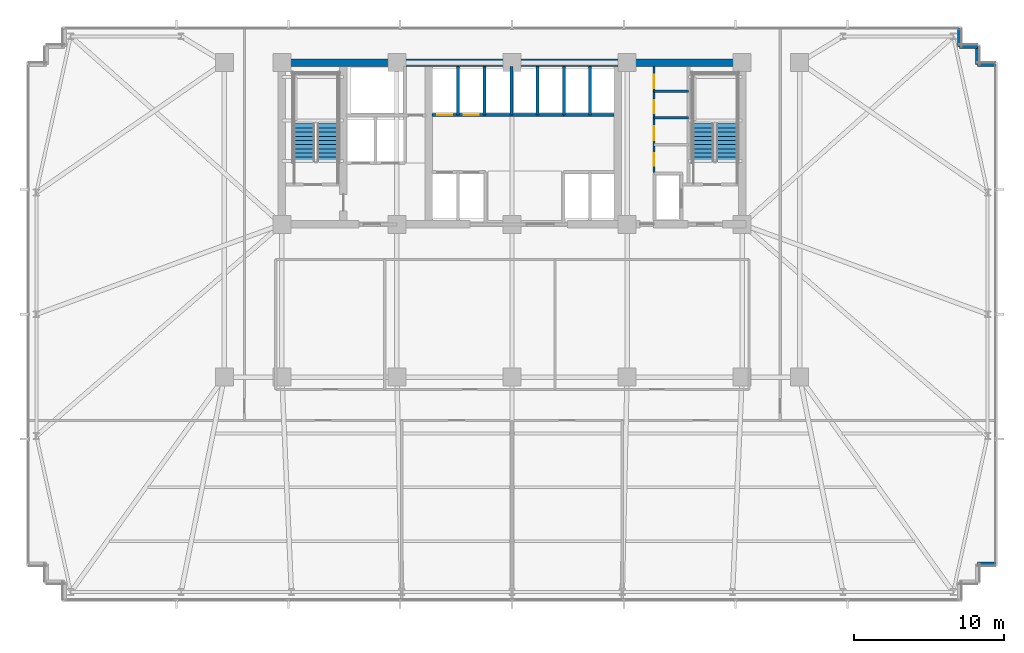
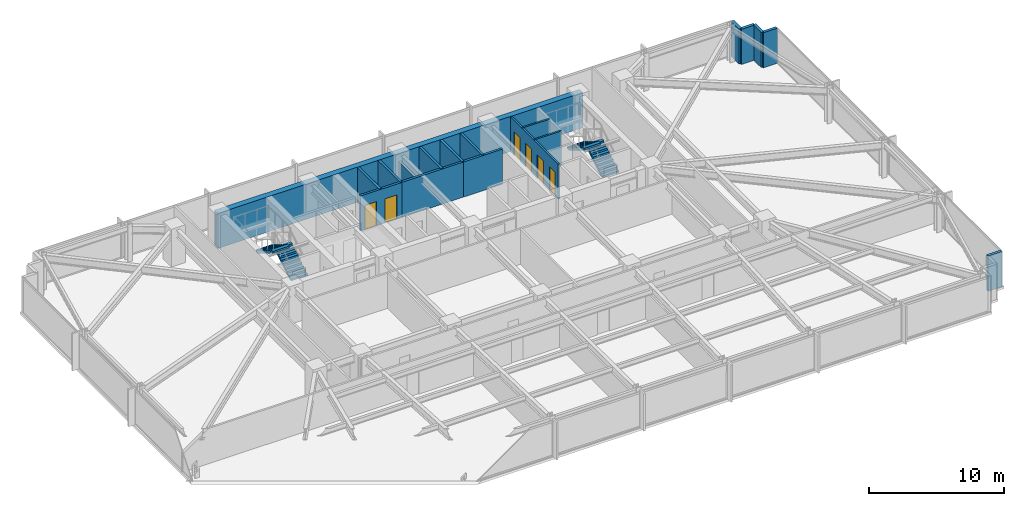
# One storey, part 26 of 33: 18 walls, 6 doors, 4 stair flights, 6 openings, 2 elements without a shape of their own.
"""IFC4 building model written with IfcOpenShell, lengths in metres."""

from ifc_helpers import new_model, si_unit, direction, frame, frame_2d, origin, place, context, subcontext, project, spatial, polyline, rectangle, outline, extrude, material, layer, layer_set, type_object, element, fill, aggregate, save


model = new_model("IFC4")

# Units and contexts
model_context = context("Model", 3, precision=1e-05, world=origin(), true_north=direction((0.0, 1.0)))
body_context = subcontext(model_context, "Body", "Model", "MODEL_VIEW")
ifc_project = project(units=[si_unit("LENGTHUNIT", "METRE"), si_unit("AREAUNIT", "SQUARE_METRE"), si_unit("VOLUMEUNIT", "CUBIC_METRE"), si_unit("PLANEANGLEUNIT", "RADIAN"), si_unit("MASSUNIT", "GRAM", prefix="KILO")], contexts=[model_context])

# Site, building, storey
site_placement = place(None, origin())
site = spatial("IfcSite", under=ifc_project, at=site_placement, CompositionType="ELEMENT")
building_placement = place(site_placement, origin())
building = spatial("IfcBuilding", under=site, at=building_placement, Name="Yelkora Congress Tower", CompositionType="ELEMENT")
storey_placement = place(building_placement, frame((0.0, 0.0, 47.39990234375)))
storey = spatial("IfcBuildingStorey", under=building, at=storey_placement, Name="L11", CompositionType="ELEMENT", Elevation=47.39990234375)

# Walls
ifc_material_1 = material(Name="Concrete C60/75", Category="concrete")
ifc_layer_1 = layer(ifc_material_1, 0.5)
ifc_layer_set_1 = layer_set([ifc_layer_1], Name="Concrete C60/75")
wall_type_1 = type_object("IfcWallType", Name="WALL-CORE-INT-500", PredefinedType="SHEAR", material=ifc_layer_set_1)
wall_1_placement = place(storey_placement, frame((22.7900390625, 46.199951171875, 0.0), z_axis=(0.0, 0.0, 1.0), x_axis=(1.0, 0.0, 0.0)))
element("IfcWall", 1, at=wall_1_placement, inside=storey, type_object=wall_type_1, Name="L11 Rear Core North Shear Wall", PredefinedType="SHEAR", context=body_context, shape_type="SweptSolid", body=[
    extrude(rectangle(XDim=31.219970703125, YDim=0.5, at=frame_2d((15.60986328125, 0.0))), origin(), (0.0, 0.0, 1.0), 3.18017578125),
])
ifc_material_2 = material(Name="Concrete C40/50", Category="concrete")
ifc_layer_2 = layer(ifc_material_2, 0.239990234375)
ifc_layer_set_2 = layer_set([ifc_layer_2], Name="Concrete C40/50")
wall_type_2 = type_object("IfcWallType", Name="WALL-EXT-LIMESTONE-240", PredefinedType="SOLIDWALL", material=ifc_layer_set_2)
for number, where, z_axis, x_axis, name in (
    (2, (68.260009765625, 48.4599609375, 0.0), (0.0, 0.0, 1.0), (0.0, -1.0, 0.0), "L11 Serrated Corner Limestone Pier 11"),
    (3, (68.260009765625, 47.260009765625, 0.0), (0.0, 0.0, 1.0), (1.0, 0.0, 0.0), "L11 Serrated Corner Limestone Pier 12"),
    (4, (69.4599609375, 47.260009765625, 0.0), (0.0, 0.0, 1.0), (0.0, -1.0, 0.0), "L11 Serrated Corner Limestone Pier 13"),
    (5, (69.4599609375, 46.06005859375, 0.0), (0.0, 0.0, 1.0), (1.0, 0.0, 0.0), "L11 Serrated Corner Limestone Pier 14"),
    (6, (70.659912109375, 12.739990234375, 0.0), (0.0, 0.0, 1.0), (-1.0, 0.0, 0.0), "L11 Serrated Corner Limestone Pier 16"),
):
    element("IfcWall", number, at=place(storey_placement, frame(where, z_axis=z_axis, x_axis=x_axis)), inside=storey, type_object=wall_type_2, Name=name, PredefinedType="SOLIDWALL", context=body_context, shape_type="SweptSolid", body=[
        extrude(rectangle(XDim=1.199951171875, YDim=0.239990234375, at=frame_2d((0.60009765625, 0.0))), origin(), (0.0, 0.0, 1.0), 3.18017578125),
    ])
ifc_material_3 = material(Name="Acoustic metal-stud gypsum partition", Category="gypsum")
ifc_layer_3 = layer(ifc_material_3, 0.14990234375)
ifc_layer_set_3 = layer_set([ifc_layer_3], Name="Acoustic metal-stud gypsum partition")
wall_type_3 = type_object("IfcWallType", Name="WALL-INT-150-NR", PredefinedType="PARTITIONING", material=ifc_layer_set_3)
for number, where, z_axis, x_axis, name in (
    (7, (47.8798828125, 42.52001953125, 0.0), (0.0, 0.0, 1.0), (1.0, 0.0, 0.0), "L11 Partition Wall 29"),
    (8, (47.8798828125, 44.280029296875, 0.0), (0.0, 0.0, 1.0), (1.0, 0.0, 0.0), "L11 Partition Wall 30"),
):
    element("IfcWall", number, at=place(storey_placement, frame(where, z_axis=z_axis, x_axis=x_axis)), inside=storey, type_object=wall_type_3, Name=name, PredefinedType="PARTITIONING", context=body_context, shape_type="SweptSolid", body=[
        extrude(rectangle(XDim=2.300048828125, YDim=0.14990234375, at=frame_2d((1.14990234375, 0.0))), origin(), (0.0, 0.0, 1.0), 3.18017578125),
    ])

# Wall, openings, doors
wall_2_placement = place(storey_placement, frame((47.8798828125, 38.85009765625, 0.0), z_axis=(0.0, 0.0, 1.0), x_axis=(0.0, 1.0, 0.0)))
wall_2 = element("IfcWall", 9, at=wall_2_placement, inside=storey, type_object=wall_type_3, Name="L11 Partition Wall 31", PredefinedType="PARTITIONING", context=body_context, shape_type="SweptSolid", body=[
    extrude(rectangle(XDim=7.06982421875, YDim=0.14990234375, at=frame_2d((3.534912109375, 0.0))), origin(), (0.0, 0.0, 1.0), 3.18017578125),
])
opening_1_placement = place(wall_2_placement, frame((0.449951171875, 0.0, 0.0)))
opening_1 = element("IfcOpeningElement", 10, at=opening_1_placement, cuts=wall_2, Name="Opening DR-085N", PredefinedType="OPENING", context=body_context, shape_type="SweptSolid", body=[
    extrude(rectangle(XDim=0.85009765625, YDim=2.14990234375, at=frame_2d((0.425048828125, 1.074951171875))), frame((0.0, 0.0849609375, 0.0), z_axis=(0.0, -1.0, 0.0), x_axis=(1.0, 0.0, 0.0)), (0.0, 0.0, 1.0), 0.169921875),
])
opening_2_placement = place(wall_2_placement, frame((2.14990234375, 0.0, 0.0)))
opening_2 = element("IfcOpeningElement", 11, at=opening_2_placement, cuts=wall_2, Name="Opening DR-095N", PredefinedType="OPENING", context=body_context, shape_type="SweptSolid", body=[
    extrude(rectangle(XDim=0.949951171875, YDim=2.14990234375, at=frame_2d((0.47509765625, 1.074951171875))), frame((0.0, 0.0849609375, 0.0), z_axis=(0.0, -1.0, 0.0), x_axis=(1.0, 0.0, 0.0)), (0.0, 0.0, 1.0), 0.169921875),
])
opening_3_placement = place(wall_2_placement, frame((3.949951171875, 0.0, 0.0)))
opening_3 = element("IfcOpeningElement", 12, at=opening_3_placement, cuts=wall_2, Name="Opening DR-090N", PredefinedType="OPENING", context=body_context, shape_type="SweptSolid", body=[
    extrude(rectangle(XDim=0.89990234375, YDim=2.14990234375, at=frame_2d((0.449951171875, 1.074951171875))), frame((0.0, 0.0849609375, 0.0), z_axis=(0.0, -1.0, 0.0), x_axis=(1.0, 0.0, 0.0)), (0.0, 0.0, 1.0), 0.169921875),
])
opening_4_placement = place(wall_2_placement, frame((5.64990234375, 0.0, 0.0)))
opening_4 = element("IfcOpeningElement", 13, at=opening_4_placement, cuts=wall_2, Name="Opening DR-090N", PredefinedType="OPENING", context=body_context, shape_type="SweptSolid", body=[
    extrude(rectangle(XDim=0.89990234375, YDim=2.14990234375, at=frame_2d((0.449951171875, 1.074951171875))), frame((0.0, 0.0849609375, 0.0), z_axis=(0.0, -1.0, 0.0), x_axis=(1.0, 0.0, 0.0)), (0.0, 0.0, 1.0), 0.169921875),
])
ifc_material_4 = material(Name="Laminate service store door leaf", Category="wood")
door_type_1 = type_object("IfcDoorType", Name="DOOR-INT-850", OperationType="NOTDEFINED", PredefinedType="DOOR", material=ifc_material_4)
door_1_placement = place(opening_1_placement, origin())
door_1 = element("IfcDoor", 14, at=door_1_placement, inside=storey, type_object=door_type_1, Name="L11 Janitor Room Door", OperationType="SINGLE_SWING_RIGHT", OverallHeight=2.14990234375, OverallWidth=0.85009765625, PredefinedType="DOOR", context=body_context, shape_type="SweptSolid", body=[
    extrude(rectangle(XDim=0.85009765625, YDim=2.14990234375, at=frame_2d((0.425048828125, 1.074951171875))), frame((0.0, 0.02490234375, 0.0), z_axis=(0.0, -1.0, 0.0), x_axis=(1.0, 0.0, 0.0)), (0.0, 0.0, 1.0), 0.050048828125),
])
fill(opening_1, door_1)
ifc_material_5 = material(Name="Moisture-resistant laminate door leaf", Category="wood")
door_type_2 = type_object("IfcDoorType", Name="DOOR-INT-900", OperationType="NOTDEFINED", PredefinedType="DOOR", material=ifc_material_5)
door_2_placement = place(opening_3_placement, origin())
door_2 = element("IfcDoor", 15, at=door_2_placement, inside=storey, type_object=door_type_2, Name="L11 Male WC Door", OperationType="SINGLE_SWING_RIGHT", OverallHeight=2.14990234375, OverallWidth=0.89990234375, PredefinedType="DOOR", context=body_context, shape_type="SweptSolid", body=[
    extrude(rectangle(XDim=0.89990234375, YDim=2.14990234375, at=frame_2d((0.449951171875, 1.074951171875))), frame((0.0, 0.02490234375, 0.0), z_axis=(0.0, -1.0, 0.0), x_axis=(1.0, 0.0, 0.0)), (0.0, 0.0, 1.0), 0.050048828125),
])
fill(opening_3, door_2)
door_3_placement = place(opening_4_placement, origin())
door_3 = element("IfcDoor", 16, at=door_3_placement, inside=storey, type_object=door_type_2, Name="L11 Female WC Door", OperationType="SINGLE_SWING_LEFT", OverallHeight=2.14990234375, OverallWidth=0.89990234375, PredefinedType="DOOR", context=body_context, shape_type="SweptSolid", body=[
    extrude(rectangle(XDim=0.89990234375, YDim=2.14990234375, at=frame_2d((0.449951171875, 1.074951171875))), frame((0.0, 0.02490234375, 0.0), z_axis=(0.0, -1.0, 0.0), x_axis=(1.0, 0.0, 0.0)), (0.0, 0.0, 1.0), 0.050048828125),
])
fill(opening_4, door_3)
ifc_material_6 = material(Name="Acoustic laminated timber office door", Category="wood")
door_type_3 = type_object("IfcDoorType", Name="DOOR-INT-950", OperationType="NOTDEFINED", PredefinedType="DOOR", material=ifc_material_6)
door_4_placement = place(opening_2_placement, origin())
door_4 = element("IfcDoor", 17, at=door_4_placement, inside=storey, type_object=door_type_3, Name="L11 Accessible WC Door", OperationType="SINGLE_SWING_LEFT", OverallHeight=2.14990234375, OverallWidth=0.949951171875, PredefinedType="DOOR", context=body_context, shape_type="SweptSolid", body=[
    extrude(rectangle(XDim=0.949951171875, YDim=2.14990234375, at=frame_2d((0.47509765625, 1.074951171875))), frame((0.0, 0.02490234375, 0.0), z_axis=(0.0, -1.0, 0.0), x_axis=(1.0, 0.0, 0.0)), (0.0, 0.0, 1.0), 0.050048828125),
])
fill(opening_2, door_4)

# Walls
ifc_material_7 = material(Name="Autoclaved aerated concrete blockwork", Category="masonry")
ifc_layer_4 = layer(ifc_material_7, 0.199951171875)
ifc_layer_set_4 = layer_set([ifc_layer_4], Name="Autoclaved aerated concrete blockwork")
wall_type_4 = type_object("IfcWallType", Name="WALL-INT-200-R120", PredefinedType="PARTITIONING", material=ifc_layer_set_4)
wall_3_placement = place(storey_placement, frame((36.60009765625, 42.699951171875, 0.0), z_axis=(0.0, 0.0, 1.0), x_axis=(1.0, 0.0, 0.0)))
element("IfcWall", 18, at=wall_3_placement, inside=storey, type_object=wall_type_4, Name="L11 Partition Wall 8", PredefinedType="PARTITIONING", context=body_context, shape_type="SweptSolid", body=[
    extrude(rectangle(XDim=5.25, YDim=0.199951171875, at=frame_2d((2.625, 0.0))), origin(), (0.0, 0.0, 1.0), 3.18017578125),
])
wall_4_placement = place(storey_placement, frame((38.35009765625, 42.699951171875, 0.0), z_axis=(0.0, 0.0, 1.0), x_axis=(0.0, 1.0, 0.0)))
element("IfcWall", 19, at=wall_4_placement, inside=storey, type_object=wall_type_4, Name="L11 Partition Wall 9", PredefinedType="PARTITIONING", context=body_context, shape_type="SweptSolid", body=[
    extrude(rectangle(XDim=3.219970703125, YDim=0.199951171875, at=frame_2d((1.60986328125, 0.0))), origin(), (0.0, 0.0, 1.0), 2.47509765625),
])
wall_5_placement = place(storey_placement, frame((40.10009765625, 42.699951171875, 0.0), z_axis=(0.0, 0.0, 1.0), x_axis=(0.0, 1.0, 0.0)))
element("IfcWall", 20, at=wall_5_placement, inside=storey, type_object=wall_type_4, Name="L11 Partition Wall 10", PredefinedType="PARTITIONING", context=body_context, shape_type="SweptSolid", body=[
    extrude(rectangle(XDim=3.219970703125, YDim=0.199951171875, at=frame_2d((1.60986328125, 0.0))), origin(), (0.0, 0.0, 1.0), 3.18017578125),
])

# Wall, openings, doors
wall_6_placement = place(storey_placement, frame((33.050048828125, 42.699951171875, 0.0), z_axis=(0.0, 0.0, 1.0), x_axis=(1.0, 0.0, 0.0)))
wall_6 = element("IfcWall", 21, at=wall_6_placement, inside=storey, type_object=wall_type_4, Name="L11 Partition Wall 12", PredefinedType="PARTITIONING", context=body_context, shape_type="SweptSolid", body=[
    extrude(rectangle(XDim=3.570068359375, YDim=0.199951171875, at=frame_2d((1.78515625, 0.0))), origin(), (0.0, 0.0, 1.0), 3.18017578125),
])
opening_5_placement = place(wall_6_placement, frame((0.375, 0.0, 0.0)))
opening_5 = element("IfcOpeningElement", 22, at=opening_5_placement, cuts=wall_6, Name="Opening LD-PS10", PredefinedType="OPENING", context=body_context, shape_type="SweptSolid", body=[
    extrude(rectangle(XDim=1.0, YDim=2.199951171875, at=frame_2d((0.5, 1.10009765625))), frame((0.0, 0.10986328125, 0.0), z_axis=(0.0, -1.0, 0.0), x_axis=(1.0, 0.0, 0.0)), (0.0, 0.0, 1.0), 0.219970703125),
])
opening_6_placement = place(wall_6_placement, frame((2.125, 0.0, 0.0)))
opening_6 = element("IfcOpeningElement", 23, at=opening_6_placement, cuts=wall_6, Name="Opening LD-PS10", PredefinedType="OPENING", context=body_context, shape_type="SweptSolid", body=[
    extrude(rectangle(XDim=1.0, YDim=2.199951171875, at=frame_2d((0.5, 1.10009765625))), frame((0.0, 0.10986328125, 0.0), z_axis=(0.0, -1.0, 0.0), x_axis=(1.0, 0.0, 0.0)), (0.0, 0.0, 1.0), 0.219970703125),
])
ifc_material_8 = material(Name="Champagne stainless steel landing door", Category="steel")
door_type_4 = type_object("IfcDoorType", Name="DOOR-LIFT-PAS-1000", OperationType="DOUBLE_DOOR_SLIDING", PredefinedType="DOOR", material=ifc_material_8)
door_5_placement = place(opening_5_placement, origin())
door_5 = element("IfcDoor", 24, at=door_5_placement, inside=storey, type_object=door_type_4, Name="Lift Landing Door LF-P3 L11", OperationType="DOUBLE_DOOR_SLIDING", OverallHeight=2.199951171875, OverallWidth=1.0, PredefinedType="DOOR", context=body_context, shape_type="SweptSolid", body=[
    extrude(rectangle(XDim=1.0, YDim=2.199951171875, at=frame_2d((0.5, 1.10009765625))), frame((0.0, 0.02490234375, 0.0), z_axis=(0.0, -1.0, 0.0), x_axis=(1.0, 0.0, 0.0)), (0.0, 0.0, 1.0), 0.050048828125),
])
fill(opening_5, door_5)
door_6_placement = place(opening_6_placement, origin())
door_6 = element("IfcDoor", 25, at=door_6_placement, inside=storey, type_object=door_type_4, Name="Lift Landing Door LF-P4 L11", OperationType="DOUBLE_DOOR_SLIDING", OverallHeight=2.199951171875, OverallWidth=1.0, PredefinedType="DOOR", context=body_context, shape_type="SweptSolid", body=[
    extrude(rectangle(XDim=1.0, YDim=2.199951171875, at=frame_2d((0.5, 1.10009765625))), frame((0.0, 0.02490234375, 0.0), z_axis=(0.0, -1.0, 0.0), x_axis=(1.0, 0.0, 0.0)), (0.0, 0.0, 1.0), 0.050048828125),
])
fill(opening_6, door_6)

# Walls
for number, where, z_axis, x_axis, name in (
    (26, (34.800048828125, 42.699951171875, 0.0), (0.0, 0.0, 1.0), (0.0, 1.0, 0.0), "L11 Partition Wall 14"),
    (27, (36.580078125, 42.699951171875, 0.0), (0.0, 0.0, 1.0), (0.0, 1.0, 0.0), "L11 Partition Wall 16"),
):
    element("IfcWall", number, at=place(storey_placement, frame(where, z_axis=z_axis, x_axis=x_axis)), inside=storey, type_object=wall_type_4, Name=name, PredefinedType="PARTITIONING", context=body_context, shape_type="SweptSolid", body=[
        extrude(rectangle(XDim=3.219970703125, YDim=0.199951171875, at=frame_2d((1.60986328125, 0.0))), origin(), (0.0, 0.0, 1.0), 3.18017578125),
    ])
wall_7_placement = place(storey_placement, frame((41.85009765625, 42.699951171875, 0.0), z_axis=(0.0, 0.0, 1.0), x_axis=(1.0, 0.0, 0.0)))
element("IfcWall", 28, at=wall_7_placement, inside=storey, type_object=wall_type_4, Name="L11 Partition Wall 18", PredefinedType="PARTITIONING", context=body_context, shape_type="SweptSolid", body=[
    extrude(rectangle(XDim=3.369873046875, YDim=0.199951171875, at=frame_2d((1.68505859375, 0.0))), origin(), (0.0, 0.0, 1.0), 3.18017578125),
])
for number, where, z_axis, x_axis, name in (
    (29, (43.60009765625, 42.699951171875, 0.0), (0.0, 0.0, 1.0), (0.0, 1.0, 0.0), "L11 Partition Wall 20"),
    (30, (41.8798828125, 42.699951171875, 0.0), (0.0, 0.0, 1.0), (0.0, 1.0, 0.0), "L11 Partition Wall 22"),
):
    element("IfcWall", number, at=place(storey_placement, frame(where, z_axis=z_axis, x_axis=x_axis)), inside=storey, type_object=wall_type_4, Name=name, PredefinedType="PARTITIONING", context=body_context, shape_type="SweptSolid", body=[
        extrude(rectangle(XDim=3.219970703125, YDim=0.199951171875, at=frame_2d((1.60986328125, 0.0))), origin(), (0.0, 0.0, 1.0), 3.18017578125),
    ])

# Stair, stair flights
stair_type = type_object("IfcStairType", Name="STAIR-HT-1420-R20-170", PredefinedType="HALF_TURN_STAIR", material=ifc_material_2)
stair_1_placement = place(storey_placement, origin())
stair_1 = element("IfcStair", 31, at=stair_1_placement, inside=storey, type_object=stair_type, Name="West Core Protected Exit Stair ST-01 (L11)", PredefinedType="HALF_TURN_STAIR")
stair_flight_type = type_object("IfcStairFlightType", Name="FLIGHT-1420-N10-R170-G280", PredefinedType="STRAIGHT", material=ifc_material_2)
stair_flight_1_placement = place(storey_placement, frame((26.110107421875, 39.60009765625, 0.0), z_axis=(0.0, 0.0, 1.0), x_axis=(0.0, 1.0, 0.0)))
stair_flight_1 = element("IfcStairFlight", 32, at=stair_flight_1_placement, type_object=stair_flight_type, Name="ST-01 L11 Flight 1", NumberOfRisers=10, NumberOfTreads=9, PredefinedType="STRAIGHT", RiserHeight=0.17, TreadLength=0.28, context=body_context, shape_type="SweptSolid", body=[
    extrude(outline(polyline([(0.0, 0.0), (0.0, 0.169921875), (0.280029296875, 0.169921875), (0.280029296875, 0.340087890625), (0.56005859375, 0.340087890625), (0.56005859375, 0.510009765625), (0.840087890625, 0.510009765625), (0.840087890625, 0.679931640625), (1.1201171875, 0.679931640625), (1.1201171875, 0.85009765625), (1.39990234375, 0.85009765625), (1.39990234375, 1.02001953125), (1.679931640625, 1.02001953125), (1.679931640625, 1.18994140625), (1.9599609375, 1.18994140625), (1.9599609375, 1.360107421875), (2.239990234375, 1.360107421875), (2.239990234375, 1.530029296875), (2.52001953125, 1.530029296875), (2.52001953125, 1.699951171875), (2.52001953125, 1.343017578125), (0.30810546875, 0.0), (0.0, 0.0)])), frame((0.0, 0.7099609375, 0.0), z_axis=(0.0, -1.0, 0.0), x_axis=(1.0, 0.0, 0.0)), (0.0, 0.0, 1.0), 1.419921875),
])
stair_flight_2_placement = place(storey_placement, frame((24.530029296875, 42.1201171875, 1.7001953125), z_axis=(0.0, 0.0, 1.0), x_axis=(0.0, -1.0, 0.0)))
stair_flight_2 = element("IfcStairFlight", 33, at=stair_flight_2_placement, type_object=stair_flight_type, Name="ST-01 L11 Flight 2", NumberOfRisers=10, NumberOfTreads=9, PredefinedType="STRAIGHT", RiserHeight=0.17, TreadLength=0.28, context=body_context, shape_type="SweptSolid", body=[
    extrude(outline(polyline([(0.0, 0.0), (0.0, 0.169921875), (0.280029296875, 0.169921875), (0.280029296875, 0.340087890625), (0.56005859375, 0.340087890625), (0.56005859375, 0.510009765625), (0.840087890625, 0.510009765625), (0.840087890625, 0.679931640625), (1.1201171875, 0.679931640625), (1.1201171875, 0.85009765625), (1.39990234375, 0.85009765625), (1.39990234375, 1.02001953125), (1.679931640625, 1.02001953125), (1.679931640625, 1.18994140625), (1.9599609375, 1.18994140625), (1.9599609375, 1.360107421875), (2.239990234375, 1.360107421875), (2.239990234375, 1.530029296875), (2.52001953125, 1.530029296875), (2.52001953125, 1.699951171875), (2.52001953125, 1.343017578125), (0.30810546875, 0.0), (0.0, 0.0)])), frame((0.0, 0.7099609375, 0.0), z_axis=(0.0, -1.0, 0.0), x_axis=(1.0, 0.0, 0.0)), (0.0, 0.0, 1.0), 1.419921875),
])
aggregate(stair_1, [stair_flight_1, stair_flight_2])

stair_2_placement = place(storey_placement, origin())
stair_2 = element("IfcStair", 34, at=stair_2_placement, inside=storey, type_object=stair_type, Name="East Core Protected Exit Stair ST-02 (L11)", PredefinedType="HALF_TURN_STAIR")
stair_flight_3_placement = place(storey_placement, frame((52.75, 39.60009765625, 0.0), z_axis=(0.0, 0.0, 1.0), x_axis=(0.0, 1.0, 0.0)))
stair_flight_3 = element("IfcStairFlight", 35, at=stair_flight_3_placement, type_object=stair_flight_type, Name="ST-02 L11 Flight 1", NumberOfRisers=10, NumberOfTreads=9, PredefinedType="STRAIGHT", RiserHeight=0.17, TreadLength=0.28, context=body_context, shape_type="SweptSolid", body=[
    extrude(outline(polyline([(0.0, 0.0), (0.0, 0.169921875), (0.280029296875, 0.169921875), (0.280029296875, 0.340087890625), (0.56005859375, 0.340087890625), (0.56005859375, 0.510009765625), (0.840087890625, 0.510009765625), (0.840087890625, 0.679931640625), (1.1201171875, 0.679931640625), (1.1201171875, 0.85009765625), (1.39990234375, 0.85009765625), (1.39990234375, 1.02001953125), (1.679931640625, 1.02001953125), (1.679931640625, 1.18994140625), (1.9599609375, 1.18994140625), (1.9599609375, 1.360107421875), (2.239990234375, 1.360107421875), (2.239990234375, 1.530029296875), (2.52001953125, 1.530029296875), (2.52001953125, 1.699951171875), (2.52001953125, 1.343017578125), (0.30810546875, 0.0), (0.0, 0.0)])), frame((0.0, 0.7099609375, 0.0), z_axis=(0.0, -1.0, 0.0), x_axis=(1.0, 0.0, 0.0)), (0.0, 0.0, 1.0), 1.419921875),
])
stair_flight_4_placement = place(storey_placement, frame((51.169921875, 42.1201171875, 1.7001953125), z_axis=(0.0, 0.0, 1.0), x_axis=(0.0, -1.0, 0.0)))
stair_flight_4 = element("IfcStairFlight", 36, at=stair_flight_4_placement, type_object=stair_flight_type, Name="ST-02 L11 Flight 2", NumberOfRisers=10, NumberOfTreads=9, PredefinedType="STRAIGHT", RiserHeight=0.17, TreadLength=0.28, context=body_context, shape_type="SweptSolid", body=[
    extrude(outline(polyline([(0.0, 0.0), (0.0, 0.169921875), (0.280029296875, 0.169921875), (0.280029296875, 0.340087890625), (0.56005859375, 0.340087890625), (0.56005859375, 0.510009765625), (0.840087890625, 0.510009765625), (0.840087890625, 0.679931640625), (1.1201171875, 0.679931640625), (1.1201171875, 0.85009765625), (1.39990234375, 0.85009765625), (1.39990234375, 1.02001953125), (1.679931640625, 1.02001953125), (1.679931640625, 1.18994140625), (1.9599609375, 1.18994140625), (1.9599609375, 1.360107421875), (2.239990234375, 1.360107421875), (2.239990234375, 1.530029296875), (2.52001953125, 1.530029296875), (2.52001953125, 1.699951171875), (2.52001953125, 1.343017578125), (0.30810546875, 0.0), (0.0, 0.0)])), frame((0.0, 0.7099609375, 0.0), z_axis=(0.0, -1.0, 0.0), x_axis=(1.0, 0.0, 0.0)), (0.0, 0.0, 1.0), 1.419921875),
])
aggregate(stair_2, [stair_flight_3, stair_flight_4])

save(model, "model.ifc")
